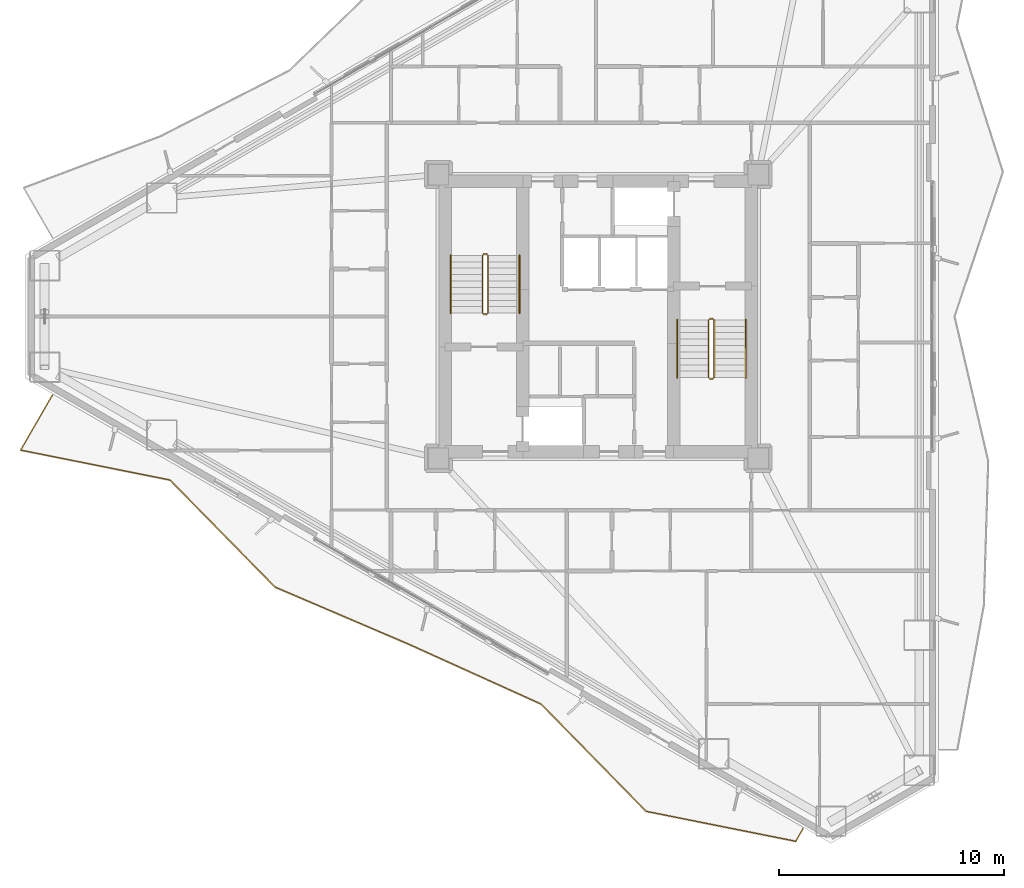
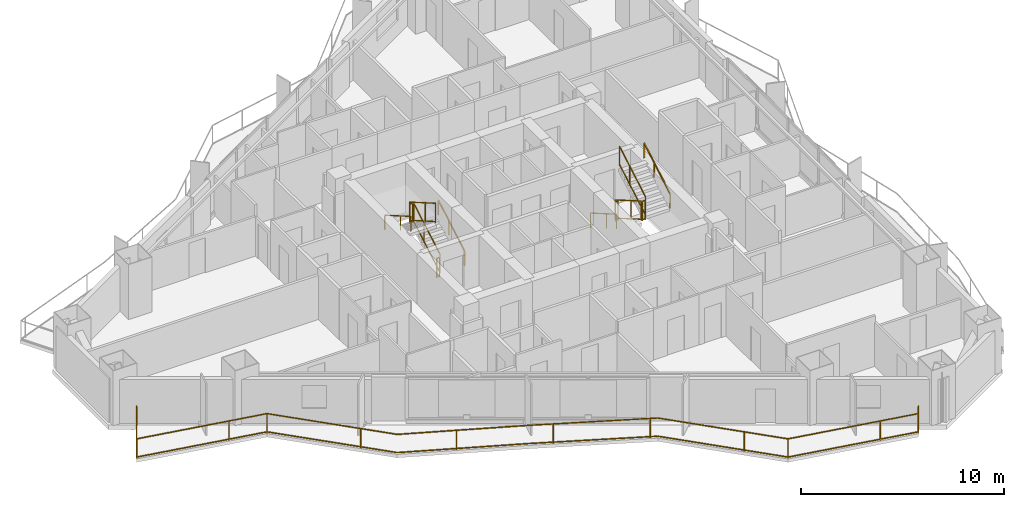
# One storey, part 17 of 18: 13 railings.
"""IFC4 building model written with IfcOpenShell, lengths in metres."""

from ifc_helpers import new_model, si_unit, direction, frame, origin, origin_2d, place, context, subcontext, project, spatial, rectangle, extrude, material, type_object, element, save


model = new_model("IFC4")

# Units and contexts
model_context = context("Model", 3, precision=1e-05, world=origin(), true_north=direction((0.0, 1.0)))
body_context = subcontext(model_context, "Body", "Model", "MODEL_VIEW")
ifc_project = project(units=[si_unit("LENGTHUNIT", "METRE"), si_unit("AREAUNIT", "SQUARE_METRE"), si_unit("VOLUMEUNIT", "CUBIC_METRE"), si_unit("PLANEANGLEUNIT", "RADIAN"), si_unit("MASSUNIT", "GRAM", prefix="KILO")], contexts=[model_context])

# Site, building, storey
site_placement = place(None, origin())
site = spatial("IfcSite", under=ifc_project, at=site_placement, CompositionType="ELEMENT")
building_placement = place(site_placement, origin())
building = spatial("IfcBuilding", under=site, at=building_placement, Name="Mersakhor Tower and Convention Hall", CompositionType="ELEMENT")
storey_placement = place(building_placement, frame((0.0, 0.0, 35.699951171875)))
storey = spatial("IfcBuildingStorey", under=building, at=storey_placement, Name="L09", CompositionType="ELEMENT", Elevation=35.699951171875)

# Railings
ifc_material_1 = material(Name="Powder-coated galvanised steel and laminated glass balustrade", Category="steel")
railing_type_1 = type_object("IfcRailingType", Name="RL-BAL-1200", PredefinedType="BALUSTRADE", material=ifc_material_1)
railing_1_placement = place(storey_placement, frame((4.75048828125, 23.256591796875, 0.0)))
element("IfcRailing", 1, at=railing_1_placement, inside=storey, type_object=railing_type_1, Name="L09 Sinusoidal Balcony Balustrade F3", PredefinedType="BALUSTRADE", context=body_context, shape_type="SweptSolid", body=[
    extrude(rectangle(XDim=0.048095703125, YDim=0.048095703125, at=origin_2d()), frame((0.0, 0.0, 1.17578125), z_axis=(-0.499984757355, -0.866034203951, 0.0), x_axis=(0.866034203951, -0.499984757355, 0.0)), (0.0, 0.0, 1.0), 2.81982421875),
    extrude(rectangle(XDim=0.048095703125, YDim=0.048095703125, at=origin_2d()), frame((0.0, 0.0, 0.080078125), z_axis=(-0.499984757355, -0.866034203951, 0.0), x_axis=(0.866034203951, -0.499984757355, 0.0)), (0.0, 0.0, 1.0), 2.81982421875),
    extrude(rectangle(XDim=0.048095703125, YDim=0.048095703125, at=origin_2d()), frame((-1.409912109375, -2.442138671875, 1.17578125), z_axis=(0.980552945517, -0.196254735071, 0.0), x_axis=(0.196254735071, 0.980552945517, 0.0)), (0.0, 0.0, 1.0), 6.77490234375),
    extrude(rectangle(XDim=0.048095703125, YDim=0.048095703125, at=origin_2d()), frame((-1.409912109375, -2.442138671875, 0.080078125), z_axis=(0.980552945517, -0.196254735071, 0.0), x_axis=(0.196254735071, 0.980552945517, 0.0)), (0.0, 0.0, 1.0), 6.77490234375),
    extrude(rectangle(XDim=0.048095703125, YDim=0.048095703125, at=origin_2d()), frame((5.233154296875, -3.771728515625, 1.17578125), z_axis=(0.70040514428, -0.713745496565, 0.0), x_axis=(0.713745496565, 0.70040514428, 0.0)), (0.0, 0.0, 1.0), 6.66162109375),
    extrude(rectangle(XDim=0.048095703125, YDim=0.048095703125, at=origin_2d()), frame((5.233154296875, -3.771728515625, 0.080078125), z_axis=(0.70040514428, -0.713745496565, 0.0), x_axis=(0.713745496565, 0.70040514428, 0.0)), (0.0, 0.0, 1.0), 6.66162109375),
    extrude(rectangle(XDim=0.048095703125, YDim=0.048095703125, at=origin_2d()), frame((9.89892578125, -8.5263671875, 1.17578125), z_axis=(0.919572289309, -0.392920863196, 0.0), x_axis=(0.392920863196, 0.919572289309, 0.0)), (0.0, 0.0, 1.0), 6.464599609375),
    extrude(rectangle(XDim=0.048095703125, YDim=0.048095703125, at=origin_2d()), frame((9.89892578125, -8.5263671875, 0.080078125), z_axis=(0.919572289309, -0.392920863196, 0.0), x_axis=(0.392920863196, 0.919572289309, 0.0)), (0.0, 0.0, 1.0), 6.464599609375),
    extrude(rectangle(XDim=0.048095703125, YDim=0.048095703125, at=origin_2d()), frame((15.843505859375, -11.06640625, 1.17578125), z_axis=(0.911071702607, -0.412247926264, 0.0), x_axis=(0.412247926264, 0.911071702607, 0.0)), (0.0, 0.0, 1.0), 6.44921875),
    extrude(rectangle(XDim=0.048095703125, YDim=0.048095703125, at=origin_2d()), frame((15.843505859375, -11.06640625, 0.080078125), z_axis=(0.911071702607, -0.412247926264, 0.0), x_axis=(0.412247926264, 0.911071702607, 0.0)), (0.0, 0.0, 1.0), 6.44921875),
    extrude(rectangle(XDim=0.048095703125, YDim=0.048095703125, at=origin_2d()), frame((21.71923828125, -13.72509765625, 1.17578125), z_axis=(0.699537892373, -0.714595505957, 0.0), x_axis=(0.714595505957, 0.699537892373, 0.0)), (0.0, 0.0, 1.0), 6.663818359375),
    extrude(rectangle(XDim=0.048095703125, YDim=0.048095703125, at=origin_2d()), frame((21.71923828125, -13.72509765625, 0.080078125), z_axis=(0.699537892373, -0.714595505957, 0.0), x_axis=(0.714595505957, 0.699537892373, 0.0)), (0.0, 0.0, 1.0), 6.663818359375),
    extrude(rectangle(XDim=0.048095703125, YDim=0.048095703125, at=origin_2d()), frame((26.380859375, -18.487060546875, 1.17578125), z_axis=(0.980546010158, -0.196289383217, 0.0), x_axis=(0.196289383217, 0.980546010158, 0.0)), (0.0, 0.0, 1.0), 6.77490234375),
    extrude(rectangle(XDim=0.048095703125, YDim=0.048095703125, at=origin_2d()), frame((26.380859375, -18.487060546875, 0.080078125), z_axis=(0.980546010158, -0.196289383217, 0.0), x_axis=(0.196289383217, 0.980546010158, 0.0)), (0.0, 0.0, 1.0), 6.77490234375),
    extrude(rectangle(XDim=0.048095703125, YDim=0.048095703125, at=origin_2d()), frame((33.02392578125, -19.81689453125, 1.17578125), z_axis=(0.50017749597, 0.865922902183, 0.0), x_axis=(-0.865922902183, 0.50017749597, 0.0)), (0.0, 0.0, 1.0), 0.650146484375),
    extrude(rectangle(XDim=0.048095703125, YDim=0.048095703125, at=origin_2d()), frame((33.02392578125, -19.81689453125, 0.080078125), z_axis=(0.50017749597, 0.865922902183, 0.0), x_axis=(-0.865922902183, 0.50017749597, 0.0)), (0.0, 0.0, 1.0), 0.650146484375),
    extrude(rectangle(XDim=0.0419921875, YDim=0.0419921875, at=origin_2d()), origin(), (0.0, 0.0, 1.0), 1.15185546875),
    extrude(rectangle(XDim=0.0419921875, YDim=0.0419921875, at=origin_2d()), frame((-1.409912109375, -2.442138671875, 0.0)), (0.0, 0.0, 1.0), 1.15185546875),
    extrude(rectangle(XDim=0.0419921875, YDim=0.0419921875, at=origin_2d()), frame((3.296630859375, -3.38427734375, 0.0)), (0.0, 0.0, 1.0), 1.15185546875),
    extrude(rectangle(XDim=0.0419921875, YDim=0.0419921875, at=origin_2d()), frame((5.233154296875, -3.771728515625, 0.0)), (0.0, 0.0, 1.0), 1.15185546875),
    extrude(rectangle(XDim=0.0419921875, YDim=0.0419921875, at=origin_2d()), frame((8.59521484375, -7.19775390625, 0.0)), (0.0, 0.0, 1.0), 1.15185546875),
    extrude(rectangle(XDim=0.0419921875, YDim=0.0419921875, at=origin_2d()), frame((12.60107421875, -9.680908203125, 0.0)), (0.0, 0.0, 1.0), 1.15185546875),
    extrude(rectangle(XDim=0.0419921875, YDim=0.0419921875, at=origin_2d()), frame((17.004150390625, -11.591552734375, 0.0)), (0.0, 0.0, 1.0), 1.15185546875),
    extrude(rectangle(XDim=0.0419921875, YDim=0.0419921875, at=origin_2d()), frame((21.37744140625, -13.5703125, 0.0)), (0.0, 0.0, 1.0), 1.15185546875),
    extrude(rectangle(XDim=0.0419921875, YDim=0.0419921875, at=origin_2d()), frame((24.814453125, -16.886962890625, 0.0)), (0.0, 0.0, 1.0), 1.15185546875),
    extrude(rectangle(XDim=0.0419921875, YDim=0.0419921875, at=origin_2d()), frame((26.380859375, -18.487060546875, 0.0)), (0.0, 0.0, 1.0), 1.15185546875),
    extrude(rectangle(XDim=0.0419921875, YDim=0.0419921875, at=origin_2d()), frame((31.08740234375, -19.42919921875, 0.0)), (0.0, 0.0, 1.0), 1.15185546875),
    extrude(rectangle(XDim=0.0419921875, YDim=0.0419921875, at=origin_2d()), frame((33.02392578125, -19.81689453125, 0.0)), (0.0, 0.0, 1.0), 1.15185546875),
    extrude(rectangle(XDim=0.0419921875, YDim=0.0419921875, at=origin_2d()), frame((33.34912109375, -19.25390625, 0.0)), (0.0, 0.0, 1.0), 1.15185546875),
])
ifc_material_2 = material(Name="Brushed stainless steel handrail", Category="steel")
railing_type_2 = type_object("IfcRailingType", Name="RL-HR-900", PredefinedType="HANDRAIL", material=ifc_material_2)
railing_2_placement = place(storey_placement, frame((25.5, 26.89990234375, 0.1650390625)))
element("IfcRailing", 2, at=railing_2_placement, inside=storey, type_object=railing_type_2, Name="L09 ST-1 stair handrail 1", PredefinedType="HANDRAIL", context=body_context, shape_type="SweptSolid", body=[
    extrude(rectangle(XDim=0.048095703125, YDim=0.048095703125, at=origin_2d()), frame((0.0, 0.0, 0.8759765625), z_axis=(0.0, 0.865426285481, 0.501036270542), x_axis=(-1.0, 0.0, 0.0)), (0.0, 0.0, 1.0), 2.964111328125),
    extrude(rectangle(XDim=0.0419921875, YDim=0.0419921875, at=origin_2d()), origin(), (0.0, 0.0, 1.0), 0.851806640625),
    extrude(rectangle(XDim=0.0419921875, YDim=0.0419921875, at=origin_2d()), frame((0.0, 1.557861328125, 0.90185546875)), (0.0, 0.0, 1.0), 0.851806640625),
    extrude(rectangle(XDim=0.0419921875, YDim=0.0419921875, at=origin_2d()), frame((0.0, 2.565185546875, 1.485107421875)), (0.0, 0.0, 1.0), 0.851806640625),
])
for number, where, name in (
    (3, (22.449951171875, 29.465087890625, 1.81494140625), "L09 ST-1 stair handrail 2"),
    (4, (32.5, 26.60009765625, 0.1650390625), "L09 ST-2 stair handrail 1"),
):
    element("IfcRailing", number, at=place(storey_placement, frame(where)), inside=storey, type_object=railing_type_2, Name=name, PredefinedType="HANDRAIL", context=body_context, shape_type="SweptSolid", body=[
        extrude(rectangle(XDim=0.048095703125, YDim=0.048095703125, at=origin_2d()), frame((0.0, 0.0, 0.8759765625), z_axis=(0.0, -0.865426285481, 0.501036270542), x_axis=(1.0, 0.0, 0.0)), (0.0, 0.0, 1.0), 2.964111328125),
        extrude(rectangle(XDim=0.0419921875, YDim=0.0419921875, at=origin_2d()), origin(), (0.0, 0.0, 1.0), 0.851806640625),
        extrude(rectangle(XDim=0.0419921875, YDim=0.0419921875, at=origin_2d()), frame((0.0, -1.557861328125, 0.90185546875)), (0.0, 0.0, 1.0), 0.851806640625),
        extrude(rectangle(XDim=0.0419921875, YDim=0.0419921875, at=origin_2d()), frame((0.0, -2.565185546875, 1.485107421875)), (0.0, 0.0, 1.0), 0.851806640625),
    ])
railing_3_placement = place(storey_placement, frame((35.550048828125, 24.034912109375, 1.81494140625)))
element("IfcRailing", 5, at=railing_3_placement, inside=storey, type_object=railing_type_2, Name="L09 ST-2 stair handrail 2", PredefinedType="HANDRAIL", context=body_context, shape_type="SweptSolid", body=[
    extrude(rectangle(XDim=0.048095703125, YDim=0.048095703125, at=origin_2d()), frame((0.0, 0.0, 0.8759765625), z_axis=(0.0, 0.865426285481, 0.501036270542), x_axis=(-1.0, 0.0, 0.0)), (0.0, 0.0, 1.0), 2.964111328125),
    extrude(rectangle(XDim=0.0419921875, YDim=0.0419921875, at=origin_2d()), origin(), (0.0, 0.0, 1.0), 0.851806640625),
    extrude(rectangle(XDim=0.0419921875, YDim=0.0419921875, at=origin_2d()), frame((0.0, 1.557861328125, 0.90185546875)), (0.0, 0.0, 1.0), 0.851806640625),
    extrude(rectangle(XDim=0.0419921875, YDim=0.0419921875, at=origin_2d()), frame((0.0, 2.565185546875, 1.485107421875)), (0.0, 0.0, 1.0), 0.851806640625),
])
ifc_material_3 = material(Name="Painted steel stair balustrade S355", Category="steel")
railing_type_3 = type_object("IfcRailingType", Name="RL-STG-1200", PredefinedType="BALUSTRADE", material=ifc_material_3)
railing_4_placement = place(storey_placement, frame((24.10009765625, 26.89990234375, 0.1650390625)))
element("IfcRailing", 6, at=railing_4_placement, inside=storey, type_object=railing_type_3, Name="L09 ST-1 stair guard 1", PredefinedType="BALUSTRADE", context=body_context, shape_type="SweptSolid", body=[
    extrude(rectangle(XDim=0.048095703125, YDim=0.048095703125, at=origin_2d()), frame((0.0, 0.0, 1.17578125), z_axis=(0.0, 0.865426285481, 0.501036270542), x_axis=(-1.0, 0.0, 0.0)), (0.0, 0.0, 1.0), 2.964111328125),
    extrude(rectangle(XDim=0.048095703125, YDim=0.048095703125, at=origin_2d()), frame((0.0, 0.0, 0.080078125), z_axis=(0.0, 0.865426285481, 0.501036270542), x_axis=(-1.0, 0.0, 0.0)), (0.0, 0.0, 1.0), 2.964111328125),
    extrude(rectangle(XDim=0.0419921875, YDim=0.0419921875, at=origin_2d()), origin(), (0.0, 0.0, 1.0), 1.15185546875),
    extrude(rectangle(XDim=0.0419921875, YDim=0.0419921875, at=origin_2d()), frame((0.0, 1.557861328125, 0.90185546875)), (0.0, 0.0, 1.0), 1.15185546875),
    extrude(rectangle(XDim=0.0419921875, YDim=0.0419921875, at=origin_2d()), frame((0.0, 2.565185546875, 1.485107421875)), (0.0, 0.0, 1.0), 1.15185546875),
])
railing_5_placement = place(storey_placement, frame((24.050048828125, 29.514892578125, 1.650146484375)))
element("IfcRailing", 7, at=railing_5_placement, inside=storey, type_object=railing_type_3, Name="L09 ST-1 stair guard 2", PredefinedType="BALUSTRADE", context=body_context, shape_type="SweptSolid", body=[
    extrude(rectangle(XDim=0.048095703125, YDim=0.048095703125, at=origin_2d()), frame((0.0, 0.0, 1.17578125), z_axis=(-1.0, 0.0, 0.0), x_axis=(0.0, -1.0, 0.0)), (0.0, 0.0, 1.0), 0.150146484375),
    extrude(rectangle(XDim=0.048095703125, YDim=0.048095703125, at=origin_2d()), frame((0.0, 0.0, 0.080078125), z_axis=(-1.0, 0.0, 0.0), x_axis=(0.0, -1.0, 0.0)), (0.0, 0.0, 1.0), 0.150146484375),
    extrude(rectangle(XDim=0.0419921875, YDim=0.0419921875, at=origin_2d()), origin(), (0.0, 0.0, 1.0), 1.15185546875),
    extrude(rectangle(XDim=0.0419921875, YDim=0.0419921875, at=origin_2d()), frame((-0.150146484375, 0.0, 0.0)), (0.0, 0.0, 1.0), 1.15185546875),
])
railing_6_placement = place(storey_placement, frame((23.85009765625, 29.465087890625, 1.81494140625)))
element("IfcRailing", 8, at=railing_6_placement, inside=storey, type_object=railing_type_3, Name="L09 ST-1 stair guard 3", PredefinedType="BALUSTRADE", context=body_context, shape_type="SweptSolid", body=[
    extrude(rectangle(XDim=0.048095703125, YDim=0.048095703125, at=origin_2d()), frame((0.0, 0.0, 1.17578125), z_axis=(0.0, -0.865426285481, 0.501036270542), x_axis=(1.0, 0.0, 0.0)), (0.0, 0.0, 1.0), 2.964111328125),
    extrude(rectangle(XDim=0.048095703125, YDim=0.048095703125, at=origin_2d()), frame((0.0, 0.0, 0.080078125), z_axis=(0.0, -0.865426285481, 0.501036270542), x_axis=(1.0, 0.0, 0.0)), (0.0, 0.0, 1.0), 2.964111328125),
    extrude(rectangle(XDim=0.0419921875, YDim=0.0419921875, at=origin_2d()), origin(), (0.0, 0.0, 1.0), 1.15185546875),
    extrude(rectangle(XDim=0.0419921875, YDim=0.0419921875, at=origin_2d()), frame((0.0, -1.557861328125, 0.90185546875)), (0.0, 0.0, 1.0), 1.15185546875),
    extrude(rectangle(XDim=0.0419921875, YDim=0.0419921875, at=origin_2d()), frame((0.0, -2.565185546875, 1.485107421875)), (0.0, 0.0, 1.0), 1.15185546875),
])
railing_7_placement = place(storey_placement, frame((24.050048828125, 26.85009765625, 0.0)))
element("IfcRailing", 9, at=railing_7_placement, inside=storey, type_object=railing_type_3, Name="L09 ST-1 stair guard 4", PredefinedType="BALUSTRADE", context=body_context, shape_type="SweptSolid", body=[
    extrude(rectangle(XDim=0.048095703125, YDim=0.048095703125, at=origin_2d()), frame((0.0, 0.0, 1.17578125), z_axis=(-1.0, 0.0, 0.0), x_axis=(0.0, -1.0, 0.0)), (0.0, 0.0, 1.0), 0.150146484375),
    extrude(rectangle(XDim=0.048095703125, YDim=0.048095703125, at=origin_2d()), frame((0.0, 0.0, 0.080078125), z_axis=(-1.0, 0.0, 0.0), x_axis=(0.0, -1.0, 0.0)), (0.0, 0.0, 1.0), 0.150146484375),
    extrude(rectangle(XDim=0.0419921875, YDim=0.0419921875, at=origin_2d()), origin(), (0.0, 0.0, 1.0), 1.15185546875),
    extrude(rectangle(XDim=0.0419921875, YDim=0.0419921875, at=origin_2d()), frame((-0.150146484375, 0.0, 0.0)), (0.0, 0.0, 1.0), 1.15185546875),
])
railing_8_placement = place(storey_placement, frame((33.89990234375, 26.60009765625, 0.1650390625)))
element("IfcRailing", 10, at=railing_8_placement, inside=storey, type_object=railing_type_3, Name="L09 ST-2 stair guard 1", PredefinedType="BALUSTRADE", context=body_context, shape_type="SweptSolid", body=[
    extrude(rectangle(XDim=0.048095703125, YDim=0.048095703125, at=origin_2d()), frame((0.0, 0.0, 1.17578125), z_axis=(0.0, -0.865426285481, 0.501036270542), x_axis=(1.0, 0.0, 0.0)), (0.0, 0.0, 1.0), 2.964111328125),
    extrude(rectangle(XDim=0.048095703125, YDim=0.048095703125, at=origin_2d()), frame((0.0, 0.0, 0.080078125), z_axis=(0.0, -0.865426285481, 0.501036270542), x_axis=(1.0, 0.0, 0.0)), (0.0, 0.0, 1.0), 2.964111328125),
    extrude(rectangle(XDim=0.0419921875, YDim=0.0419921875, at=origin_2d()), origin(), (0.0, 0.0, 1.0), 1.15185546875),
    extrude(rectangle(XDim=0.0419921875, YDim=0.0419921875, at=origin_2d()), frame((0.0, -1.557861328125, 0.90185546875)), (0.0, 0.0, 1.0), 1.15185546875),
    extrude(rectangle(XDim=0.0419921875, YDim=0.0419921875, at=origin_2d()), frame((0.0, -2.565185546875, 1.485107421875)), (0.0, 0.0, 1.0), 1.15185546875),
])
railing_9_placement = place(storey_placement, frame((33.949951171875, 23.985107421875, 1.650146484375)))
element("IfcRailing", 11, at=railing_9_placement, inside=storey, type_object=railing_type_3, Name="L09 ST-2 stair guard 2", PredefinedType="BALUSTRADE", context=body_context, shape_type="SweptSolid", body=[
    extrude(rectangle(XDim=0.048095703125, YDim=0.048095703125, at=origin_2d()), frame((0.0, 0.0, 1.17578125), z_axis=(1.0, 0.0, 0.0), x_axis=(0.0, 1.0, 0.0)), (0.0, 0.0, 1.0), 0.150146484375),
    extrude(rectangle(XDim=0.048095703125, YDim=0.048095703125, at=origin_2d()), frame((0.0, 0.0, 0.080078125), z_axis=(1.0, 0.0, 0.0), x_axis=(0.0, 1.0, 0.0)), (0.0, 0.0, 1.0), 0.150146484375),
    extrude(rectangle(XDim=0.0419921875, YDim=0.0419921875, at=origin_2d()), origin(), (0.0, 0.0, 1.0), 1.15185546875),
    extrude(rectangle(XDim=0.0419921875, YDim=0.0419921875, at=origin_2d()), frame((0.150146484375, 0.0, 0.0)), (0.0, 0.0, 1.0), 1.15185546875),
])
railing_10_placement = place(storey_placement, frame((34.14990234375, 24.034912109375, 1.81494140625)))
element("IfcRailing", 12, at=railing_10_placement, inside=storey, type_object=railing_type_3, Name="L09 ST-2 stair guard 3", PredefinedType="BALUSTRADE", context=body_context, shape_type="SweptSolid", body=[
    extrude(rectangle(XDim=0.048095703125, YDim=0.048095703125, at=origin_2d()), frame((0.0, 0.0, 1.17578125), z_axis=(0.0, 0.865426285481, 0.501036270542), x_axis=(-1.0, 0.0, 0.0)), (0.0, 0.0, 1.0), 2.964111328125),
    extrude(rectangle(XDim=0.048095703125, YDim=0.048095703125, at=origin_2d()), frame((0.0, 0.0, 0.080078125), z_axis=(0.0, 0.865426285481, 0.501036270542), x_axis=(-1.0, 0.0, 0.0)), (0.0, 0.0, 1.0), 2.964111328125),
    extrude(rectangle(XDim=0.0419921875, YDim=0.0419921875, at=origin_2d()), origin(), (0.0, 0.0, 1.0), 1.15185546875),
    extrude(rectangle(XDim=0.0419921875, YDim=0.0419921875, at=origin_2d()), frame((0.0, 1.557861328125, 0.90185546875)), (0.0, 0.0, 1.0), 1.15185546875),
    extrude(rectangle(XDim=0.0419921875, YDim=0.0419921875, at=origin_2d()), frame((0.0, 2.565185546875, 1.485107421875)), (0.0, 0.0, 1.0), 1.15185546875),
])
railing_11_placement = place(storey_placement, frame((33.949951171875, 26.64990234375, 0.0)))
element("IfcRailing", 13, at=railing_11_placement, inside=storey, type_object=railing_type_3, Name="L09 ST-2 stair guard 4", PredefinedType="BALUSTRADE", context=body_context, shape_type="SweptSolid", body=[
    extrude(rectangle(XDim=0.048095703125, YDim=0.048095703125, at=origin_2d()), frame((0.0, 0.0, 1.17578125), z_axis=(1.0, 0.0, 0.0), x_axis=(0.0, 1.0, 0.0)), (0.0, 0.0, 1.0), 0.150146484375),
    extrude(rectangle(XDim=0.048095703125, YDim=0.048095703125, at=origin_2d()), frame((0.0, 0.0, 0.080078125), z_axis=(1.0, 0.0, 0.0), x_axis=(0.0, 1.0, 0.0)), (0.0, 0.0, 1.0), 0.150146484375),
    extrude(rectangle(XDim=0.0419921875, YDim=0.0419921875, at=origin_2d()), origin(), (0.0, 0.0, 1.0), 1.15185546875),
    extrude(rectangle(XDim=0.0419921875, YDim=0.0419921875, at=origin_2d()), frame((0.150146484375, 0.0, 0.0)), (0.0, 0.0, 1.0), 1.15185546875),
])

save(model, "model.ifc")
